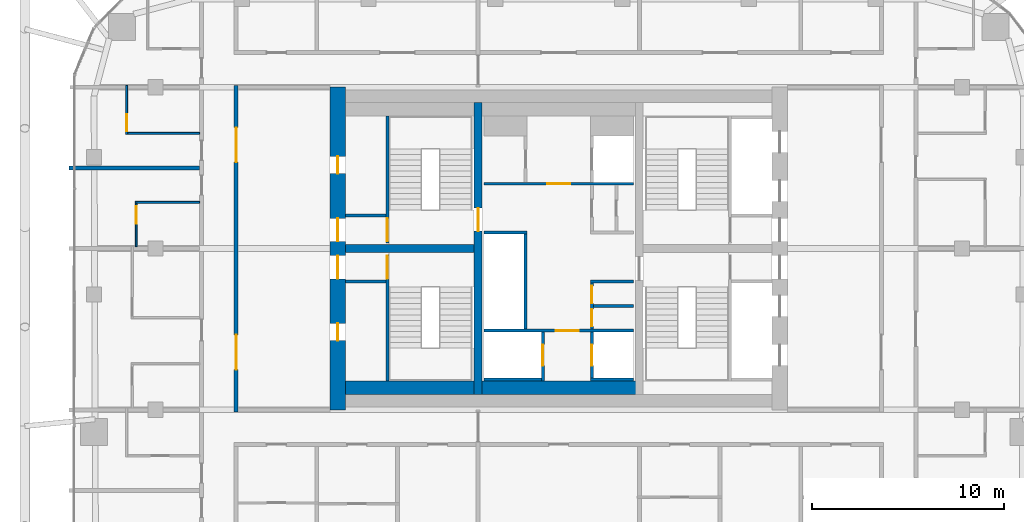
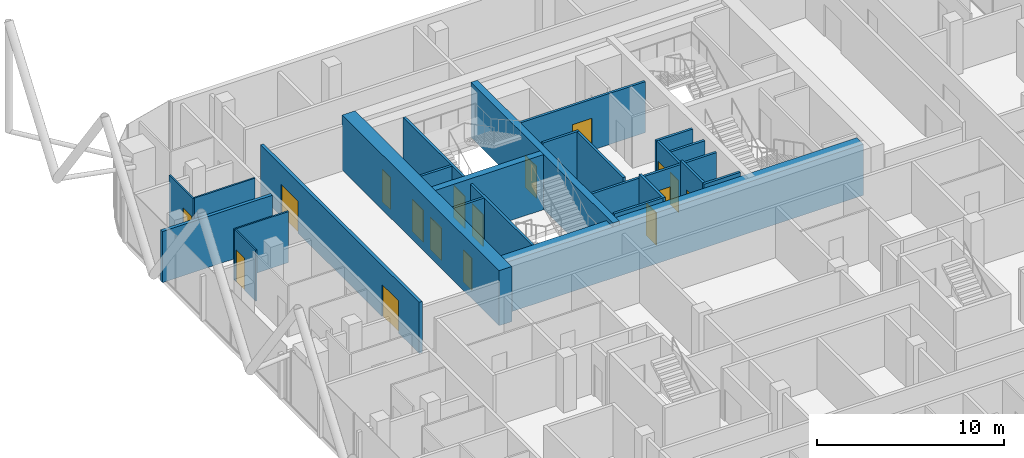
# One storey, part 27 of 31: 25 walls, 17 doors, 17 openings.
"""IFC4 building model written with IfcOpenShell, lengths in metres."""

from ifc_helpers import new_model, si_unit, direction, frame, frame_2d, origin, place, context, subcontext, project, spatial, rectangle, extrude, material, layer, layer_set, type_object, element, fill, save


model = new_model("IFC4")

# Units and contexts
model_context = context("Model", 3, precision=1e-05, world=origin(), true_north=direction((0.0, 1.0)))
body_context = subcontext(model_context, "Body", "Model", "MODEL_VIEW")
ifc_project = project(units=[si_unit("LENGTHUNIT", "METRE"), si_unit("AREAUNIT", "SQUARE_METRE"), si_unit("VOLUMEUNIT", "CUBIC_METRE"), si_unit("PLANEANGLEUNIT", "RADIAN"), si_unit("MASSUNIT", "GRAM", prefix="KILO")], contexts=[model_context])

# Site, building, storey
site_placement = place(None, origin())
site = spatial("IfcSite", under=ifc_project, at=site_placement, CompositionType="ELEMENT")
building_placement = place(site_placement, origin())
building = spatial("IfcBuilding", under=site, at=building_placement, Name="Marenta Gate Hotel Tower", CompositionType="ELEMENT")
storey_placement = place(building_placement, frame((0.0, 0.0, 220.10009765625)))
storey = spatial("IfcBuildingStorey", under=building, at=storey_placement, Name="L51", CompositionType="ELEMENT", Elevation=220.10009765625)

# Wall, openings, doors
ifc_material_1 = material(Name="Concrete blockwork", Category="masonry")
ifc_layer_1 = layer(ifc_material_1, 0.199951171875)
ifc_layer_set_1 = layer_set([ifc_layer_1], Name="Concrete blockwork")
wall_type_1 = type_object("IfcWallType", Name="Core boundary wall 200 REI 180", PredefinedType="PARTITIONING", material=ifc_layer_set_1)
wall_1_placement = place(storey_placement, frame((-16.800048828125, -0.10009765625, 0.0), z_axis=(0.0, 0.0, 1.0), x_axis=(0.0, 1.0, 0.0)))
wall_1 = element("IfcWall", 1, at=wall_1_placement, inside=storey, type_object=wall_type_1, Name="L51-CP-BW-W", PredefinedType="PARTITIONING", context=body_context, shape_type="SweptSolid", body=[
    extrude(rectangle(XDim=17.0, YDim=0.199951171875, at=frame_2d((8.5, 0.0))), origin(), (0.0, 0.0, 1.0), 3.33984375),
])
opening_1_placement = place(wall_1_placement, frame((2.199951171875, 0.0, 0.0)))
opening_1 = element("IfcOpeningElement", 2, at=opening_1_placement, cuts=wall_1, Name="Opening ED-Wa-B", PredefinedType="OPENING", context=body_context, shape_type="SweptSolid", body=[
    extrude(rectangle(XDim=1.800048828125, YDim=2.10009765625, at=frame_2d((0.89990234375, 1.050048828125))), frame((0.0, 0.10009765625, 0.0), z_axis=(0.0, -1.0, 0.0), x_axis=(1.0, 0.0, 0.0)), (0.0, 0.0, 1.0), 0.199951171875),
])
opening_2_placement = place(wall_1_placement, frame((13.0, 0.0, 0.0)))
opening_2 = element("IfcOpeningElement", 3, at=opening_2_placement, cuts=wall_1, Name="Opening ED-Wb-B", PredefinedType="OPENING", context=body_context, shape_type="SweptSolid", body=[
    extrude(rectangle(XDim=1.800048828125, YDim=2.10009765625, at=frame_2d((0.89990234375, 1.050048828125))), frame((0.0, 0.10009765625, 0.0), z_axis=(0.0, -1.0, 0.0), x_axis=(1.0, 0.0, 0.0)), (0.0, 0.0, 1.0), 0.199951171875),
])
ifc_material_2 = material(Name="Steel", Category="steel")
door_type_1 = type_object("IfcDoorType", Name="Core lobby entrance door 1800x2100 EI 60", OperationType="DOUBLE_DOOR_SINGLE_SWING", PredefinedType="DOOR", material=ifc_material_2)
door_1_placement = place(opening_1_placement, origin())
door_1 = element("IfcDoor", 4, at=door_1_placement, inside=storey, type_object=door_type_1, Name="ED-Wa-B", OperationType="DOUBLE_DOOR_SINGLE_SWING", OverallHeight=2.10009765625, OverallWidth=1.800048828125, PredefinedType="DOOR", context=body_context, shape_type="SweptSolid", body=[
    extrude(rectangle(XDim=1.800048828125, YDim=2.10009765625, at=frame_2d((0.89990234375, 1.050048828125))), frame((0.0, 0.02490234375, 0.0), z_axis=(0.0, -1.0, 0.0), x_axis=(1.0, 0.0, 0.0)), (0.0, 0.0, 1.0), 0.050048828125),
])
fill(opening_1, door_1)
door_2_placement = place(opening_2_placement, origin())
door_2 = element("IfcDoor", 5, at=door_2_placement, inside=storey, type_object=door_type_1, Name="ED-Wb-B", OperationType="DOUBLE_DOOR_SINGLE_SWING", OverallHeight=2.10009765625, OverallWidth=1.800048828125, PredefinedType="DOOR", context=body_context, shape_type="SweptSolid", body=[
    extrude(rectangle(XDim=1.800048828125, YDim=2.10009765625, at=frame_2d((0.89990234375, 1.050048828125))), frame((0.0, 0.02490234375, 0.0), z_axis=(0.0, -1.0, 0.0), x_axis=(1.0, 0.0, 0.0)), (0.0, 0.0, 1.0), 0.050048828125),
])
fill(opening_2, door_2)

# Wall
ifc_material_3 = material(Name="Concrete C40", Category="concrete")
ifc_layer_2 = layer(ifc_material_3, 0.699951171875)
ifc_layer_set_2 = layer_set([ifc_layer_2], Name="Concrete C40")
wall_type_2 = type_object("IfcWallType", Name="Core lining wall 700 REI 180", PredefinedType="PARTITIONING", material=ifc_layer_set_2)
wall_2_placement = place(storey_placement, frame((-11.10009765625, 1.14990234375, 0.0), z_axis=(0.0, 0.0, 1.0), x_axis=(1.0, 0.0, 0.0)))
element("IfcWall", 6, at=wall_2_placement, inside=storey, type_object=wall_type_2, Name="L51-CP-LN-S", PredefinedType="PARTITIONING", context=body_context, shape_type="SweptSolid", body=[
    extrude(rectangle(XDim=22.2001953125, YDim=0.699951171875, at=frame_2d((11.10009765625, 0.0))), origin(), (0.0, 0.0, 1.0), 3.33984375),
])

# Wall, opening, door
ifc_material_4 = material(Name="Concrete blockwork", Category="masonry")
ifc_layer_3 = layer(ifc_material_4, 0.14990234375)
ifc_layer_set_3 = layer_set([ifc_layer_3], Name="Concrete blockwork")
wall_type_3 = type_object("IfcWallType", Name="Core lobby partition 150 REI 180", PredefinedType="PARTITIONING", material=ifc_layer_set_3)
wall_3_placement = place(storey_placement, frame((-3.89990234375, 4.125, 0.0), z_axis=(0.0, 0.0, 1.0), x_axis=(1.0, 0.0, 0.0)))
wall_3 = element("IfcWall", 7, at=wall_3_placement, inside=storey, type_object=wall_type_3, Name="L51-CP-CW-S", PredefinedType="PARTITIONING", context=body_context, shape_type="SweptSolid", body=[
    extrude(rectangle(XDim=7.7998046875, YDim=0.14990234375, at=frame_2d((3.89990234375, 0.0))), origin(), (0.0, 0.0, 1.0), 3.33984375),
])
opening_3_placement = place(wall_3_placement, frame((3.75, 0.0, 0.0)))
opening_3 = element("IfcOpeningElement", 8, at=opening_3_placement, cuts=wall_3, Name="Opening FD-FFS", PredefinedType="OPENING", context=body_context, shape_type="SweptSolid", body=[
    extrude(rectangle(XDim=1.199951171875, YDim=2.10009765625, at=frame_2d((0.60009765625, 1.050048828125))), frame((0.0, 0.074951171875, 0.0), z_axis=(0.0, -1.0, 0.0), x_axis=(1.0, 0.0, 0.0)), (0.0, 0.0, 1.0), 0.14990234375),
])
ifc_material_5 = material(Name="Steel", Category="steel")
door_type_2 = type_object("IfcDoorType", Name="Core lobby door 1200x2100 FD60", OperationType="SINGLE_SWING_LEFT", PredefinedType="DOOR", material=ifc_material_5)
door_3_placement = place(opening_3_placement, origin())
door_3 = element("IfcDoor", 9, at=door_3_placement, inside=storey, type_object=door_type_2, Name="FD-FFS", OperationType="SINGLE_SWING_LEFT", OverallHeight=2.10009765625, OverallWidth=1.199951171875, PredefinedType="DOOR", context=body_context, shape_type="SweptSolid", body=[
    extrude(rectangle(XDim=1.199951171875, YDim=2.10009765625, at=frame_2d((0.60009765625, 1.050048828125))), frame((0.0, 0.02490234375, 0.0), z_axis=(0.0, -1.0, 0.0), x_axis=(1.0, 0.0, 0.0)), (0.0, 0.0, 1.0), 0.050048828125),
])
fill(opening_3, door_3)

wall_4_placement = place(storey_placement, frame((-3.89990234375, 11.77490234375, 0.0), z_axis=(0.0, 0.0, 1.0), x_axis=(1.0, 0.0, 0.0)))
wall_4 = element("IfcWall", 10, at=wall_4_placement, inside=storey, type_object=wall_type_3, Name="L51-CP-CW-N", PredefinedType="PARTITIONING", context=body_context, shape_type="SweptSolid", body=[
    extrude(rectangle(XDim=7.7998046875, YDim=0.14990234375, at=frame_2d((3.89990234375, 0.0))), origin(), (0.0, 0.0, 1.0), 3.33984375),
])
opening_4_placement = place(wall_4_placement, frame((3.300048828125, 0.0, 0.0)))
opening_4 = element("IfcOpeningElement", 11, at=opening_4_placement, cuts=wall_4, Name="Opening FD-FFN", PredefinedType="OPENING", context=body_context, shape_type="SweptSolid", body=[
    extrude(rectangle(XDim=1.199951171875, YDim=2.10009765625, at=frame_2d((0.60009765625, 1.050048828125))), frame((0.0, 0.074951171875, 0.0), z_axis=(0.0, -1.0, 0.0), x_axis=(1.0, 0.0, 0.0)), (0.0, 0.0, 1.0), 0.14990234375),
])
door_4_placement = place(opening_4_placement, origin())
door_4 = element("IfcDoor", 12, at=door_4_placement, inside=storey, type_object=door_type_2, Name="FD-FFN", OperationType="SINGLE_SWING_LEFT", OverallHeight=2.10009765625, OverallWidth=1.199951171875, PredefinedType="DOOR", context=body_context, shape_type="SweptSolid", body=[
    extrude(rectangle(XDim=1.199951171875, YDim=2.10009765625, at=frame_2d((0.60009765625, 1.050048828125))), frame((0.0, 0.02490234375, 0.0), z_axis=(0.0, -1.0, 0.0), x_axis=(1.0, 0.0, 0.0)), (0.0, 0.0, 1.0), 0.050048828125),
])
fill(opening_4, door_4)

# Walls
ifc_material_6 = material(Name="Concrete blockwork", Category="masonry")
ifc_layer_4 = layer(ifc_material_6, 0.14990234375)
ifc_layer_set_4 = layer_set([ifc_layer_4], Name="Concrete blockwork")
wall_type_4 = type_object("IfcWallType", Name="Core room partition 150 REI 180", PredefinedType="PARTITIONING", material=ifc_layer_set_4)
for number, where, z_axis, x_axis, name in (
    (13, (-11.10009765625, 6.675048828125, 0.0), (0.0, 0.0, 1.0), (1.0, 0.0, 0.0), "L51-CP-SW-WS-2"),
    (14, (-11.10009765625, 10.125, 0.0), (0.0, 0.0, 1.0), (1.0, 0.0, 0.0), "L51-CP-SW-WN-2"),
):
    element("IfcWall", number, at=place(storey_placement, frame(where, z_axis=z_axis, x_axis=x_axis)), inside=storey, type_object=wall_type_4, Name=name, PredefinedType="PARTITIONING", context=body_context, shape_type="SweptSolid", body=[
        extrude(rectangle(XDim=2.10009765625, YDim=0.14990234375, at=frame_2d((1.050048828125, 0.0))), origin(), (0.0, 0.0, 1.0), 3.33984375),
    ])
wall_5_placement = place(storey_placement, frame((1.64990234375, 6.675048828125, 0.0), z_axis=(0.0, 0.0, 1.0), x_axis=(1.0, 0.0, 0.0)))
element("IfcWall", 15, at=wall_5_placement, inside=storey, type_object=wall_type_4, Name="L51-CP-CE-sep1", PredefinedType="PARTITIONING", context=body_context, shape_type="SweptSolid", body=[
    extrude(rectangle(XDim=2.25, YDim=0.14990234375, at=frame_2d((1.125, 0.0))), origin(), (0.0, 0.0, 1.0), 3.33984375),
])

# Wall, openings, doors
wall_6_placement = place(storey_placement, frame((1.72509765625, 4.199951171875, 0.0), z_axis=(0.0, 0.0, 1.0), x_axis=(0.0, 1.0, 0.0)))
wall_6 = element("IfcWall", 16, at=wall_6_placement, inside=storey, type_object=wall_type_4, Name="L51-CP-CE-front-1", PredefinedType="PARTITIONING", context=body_context, shape_type="SweptSolid", body=[
    extrude(rectangle(XDim=2.400146484375, YDim=0.14990234375, at=frame_2d((1.2001953125, 0.0))), origin(), (0.0, 0.0, 1.0), 3.33984375),
])
opening_5_placement = place(wall_6_placement, frame((0.14990234375, 0.0, 0.0)))
opening_5 = element("IfcOpeningElement", 17, at=opening_5_placement, cuts=wall_6, Name="Opening RD-CE-1a", PredefinedType="OPENING", context=body_context, shape_type="SweptSolid", body=[
    extrude(rectangle(XDim=0.89990234375, YDim=2.10009765625, at=frame_2d((0.449951171875, 1.050048828125))), frame((0.0, 0.074951171875, 0.0), z_axis=(0.0, -1.0, 0.0), x_axis=(1.0, 0.0, 0.0)), (0.0, 0.0, 1.0), 0.14990234375),
])
opening_6_placement = place(wall_6_placement, frame((1.35009765625, 0.0, 0.0)))
opening_6 = element("IfcOpeningElement", 18, at=opening_6_placement, cuts=wall_6, Name="Opening RD-CE-1b-B", PredefinedType="OPENING", context=body_context, shape_type="SweptSolid", body=[
    extrude(rectangle(XDim=0.89990234375, YDim=2.10009765625, at=frame_2d((0.449951171875, 1.050048828125))), frame((0.0, 0.074951171875, 0.0), z_axis=(0.0, -1.0, 0.0), x_axis=(1.0, 0.0, 0.0)), (0.0, 0.0, 1.0), 0.14990234375),
])
ifc_material_7 = material(Name="Steel", Category="steel")
door_type_3 = type_object("IfcDoorType", Name="Core service room door 900x2100 FD30S", OperationType="SINGLE_SWING_LEFT", PredefinedType="DOOR", material=ifc_material_7)
door_5_placement = place(opening_5_placement, origin())
door_5 = element("IfcDoor", 19, at=door_5_placement, inside=storey, type_object=door_type_3, Name="RD-CE-1a", OperationType="SINGLE_SWING_LEFT", OverallHeight=2.10009765625, OverallWidth=0.89990234375, PredefinedType="DOOR", context=body_context, shape_type="SweptSolid", body=[
    extrude(rectangle(XDim=0.89990234375, YDim=2.10009765625, at=frame_2d((0.449951171875, 1.050048828125))), frame((0.0, 0.02490234375, 0.0), z_axis=(0.0, -1.0, 0.0), x_axis=(1.0, 0.0, 0.0)), (0.0, 0.0, 1.0), 0.050048828125),
])
fill(opening_5, door_5)
door_6_placement = place(opening_6_placement, origin())
door_6 = element("IfcDoor", 20, at=door_6_placement, inside=storey, type_object=door_type_3, Name="RD-CE-1b-B", OperationType="SINGLE_SWING_LEFT", OverallHeight=2.10009765625, OverallWidth=0.89990234375, PredefinedType="DOOR", context=body_context, shape_type="SweptSolid", body=[
    extrude(rectangle(XDim=0.89990234375, YDim=2.10009765625, at=frame_2d((0.449951171875, 1.050048828125))), frame((0.0, 0.02490234375, 0.0), z_axis=(0.0, -1.0, 0.0), x_axis=(1.0, 0.0, 0.0)), (0.0, 0.0, 1.0), 0.050048828125),
])
fill(opening_6, door_6)

# Wall
wall_7_placement = place(storey_placement, frame((1.800048828125, 5.39990234375, 0.0), z_axis=(0.0, 0.0, 1.0), x_axis=(1.0, 0.0, 0.0)))
element("IfcWall", 21, at=wall_7_placement, inside=storey, type_object=wall_type_4, Name="L51-CP-CE-RW-1", PredefinedType="PARTITIONING", context=body_context, shape_type="SweptSolid", body=[
    extrude(rectangle(XDim=2.099853515625, YDim=0.14990234375, at=frame_2d((1.0498046875, 0.0))), origin(), (0.0, 0.0, 1.0), 3.33984375),
])

# Wall, opening, door
ifc_material_8 = material(Name="Concrete C40", Category="concrete")
ifc_layer_5 = layer(ifc_material_8, 0.14990234375)
ifc_layer_set_5 = layer_set([ifc_layer_5], Name="Concrete C40")
wall_type_5 = type_object("IfcWallType", Name="Core shaft wall 150 REI 180", PredefinedType="SHEAR", material=ifc_layer_set_5)
wall_8_placement = place(storey_placement, frame((-0.824951171875, 1.5, 0.0), z_axis=(0.0, 0.0, 1.0), x_axis=(0.0, 1.0, 0.0)))
wall_8 = element("IfcWall", 22, at=wall_8_placement, inside=storey, type_object=wall_type_5, Name="L51-SHF-CW-W-ff", PredefinedType="SHEAR", context=body_context, shape_type="SweptSolid", body=[
    extrude(rectangle(XDim=2.550048828125, YDim=0.14990234375, at=frame_2d((1.27490234375, 0.0))), origin(), (0.0, 0.0, 1.0), 3.599853515625),
])
opening_7_placement = place(wall_8_placement, frame((0.800048828125, 0.0, 0.0)))
opening_7 = element("IfcOpeningElement", 23, at=opening_7_placement, cuts=wall_8, Name="Opening LD-FF1", PredefinedType="OPENING", context=body_context, shape_type="SweptSolid", body=[
    extrude(rectangle(XDim=1.10009765625, YDim=2.10009765625, at=frame_2d((0.550048828125, 1.050048828125))), frame((0.0, 0.074951171875, 0.0), z_axis=(0.0, -1.0, 0.0), x_axis=(1.0, 0.0, 0.0)), (0.0, 0.0, 1.0), 0.14990234375),
])
ifc_material_9 = material(Name="Steel", Category="steel")
door_type_4 = type_object("IfcDoorType", Name="Core lift landing door 1100x2100 E 60", OperationType="SLIDING_TO_LEFT", PredefinedType="DOOR", material=ifc_material_9)
door_7_placement = place(opening_7_placement, origin())
door_7 = element("IfcDoor", 24, at=door_7_placement, inside=storey, type_object=door_type_4, Name="LD-FF1", OperationType="SLIDING_TO_LEFT", OverallHeight=2.10009765625, OverallWidth=1.10009765625, PredefinedType="DOOR", context=body_context, shape_type="SweptSolid", body=[
    extrude(rectangle(XDim=1.10009765625, YDim=2.10009765625, at=frame_2d((0.550048828125, 1.050048828125))), frame((0.0, 0.02490234375, 0.0), z_axis=(0.0, -1.0, 0.0), x_axis=(1.0, 0.0, 0.0)), (0.0, 0.0, 1.0), 0.050048828125),
])
fill(opening_7, door_7)

# Walls
wall_9_placement = place(storey_placement, frame((-3.89990234375, 1.574951171875, 0.0), z_axis=(0.0, 0.0, 1.0), x_axis=(1.0, 0.0, 0.0)))
element("IfcWall", 25, at=wall_9_placement, inside=storey, type_object=wall_type_5, Name="L51-SHF-CW-W-ffs", PredefinedType="SHEAR", context=body_context, shape_type="SweptSolid", body=[
    extrude(rectangle(XDim=3.0, YDim=0.14990234375, at=frame_2d((1.5, 0.0))), origin(), (0.0, 0.0, 1.0), 3.599853515625),
])
wall_10_placement = place(storey_placement, frame((-1.72509765625, 4.199951171875, 0.0), z_axis=(0.0, 0.0, 1.0), x_axis=(0.0, 1.0, 0.0)))
element("IfcWall", 26, at=wall_10_placement, inside=storey, type_object=wall_type_5, Name="L51-SHF-CW-W-front", PredefinedType="SHEAR", context=body_context, shape_type="SweptSolid", body=[
    extrude(rectangle(XDim=4.949951171875, YDim=0.14990234375, at=frame_2d((2.47509765625, 0.0))), origin(), (0.0, 0.0, 1.0), 3.599853515625),
])
wall_11_placement = place(storey_placement, frame((-3.89990234375, 9.22509765625, 0.0), z_axis=(0.0, 0.0, 1.0), x_axis=(1.0, 0.0, 0.0)))
element("IfcWall", 27, at=wall_11_placement, inside=storey, type_object=wall_type_5, Name="L51-SHF-CW-W-sep", PredefinedType="SHEAR", context=body_context, shape_type="SweptSolid", body=[
    extrude(rectangle(XDim=2.25, YDim=0.14990234375, at=frame_2d((1.125, 0.0))), origin(), (0.0, 0.0, 1.0), 3.599853515625),
])

# Wall, opening, door
wall_12_placement = place(storey_placement, frame((1.72509765625, 1.64990234375, 0.0), z_axis=(0.0, 0.0, 1.0), x_axis=(0.0, 1.0, 0.0)))
wall_12 = element("IfcWall", 28, at=wall_12_placement, inside=storey, type_object=wall_type_5, Name="L51-SHF-CE-S-ls", PredefinedType="SHEAR", context=body_context, shape_type="SweptSolid", body=[
    extrude(rectangle(XDim=2.400146484375, YDim=0.14990234375, at=frame_2d((1.2001953125, 0.0))), origin(), (0.0, 0.0, 1.0), 3.599853515625),
])
opening_8_placement = place(wall_12_placement, frame((0.64990234375, 0.0, 0.0)))
opening_8 = element("IfcOpeningElement", 29, at=opening_8_placement, cuts=wall_12, Name="Opening LD-SV1", PredefinedType="OPENING", context=body_context, shape_type="SweptSolid", body=[
    extrude(rectangle(XDim=1.10009765625, YDim=2.10009765625, at=frame_2d((0.550048828125, 1.050048828125))), frame((0.0, 0.074951171875, 0.0), z_axis=(0.0, -1.0, 0.0), x_axis=(1.0, 0.0, 0.0)), (0.0, 0.0, 1.0), 0.14990234375),
])
door_8_placement = place(opening_8_placement, origin())
door_8 = element("IfcDoor", 30, at=door_8_placement, inside=storey, type_object=door_type_4, Name="LD-SV1", OperationType="SLIDING_TO_LEFT", OverallHeight=2.10009765625, OverallWidth=1.10009765625, PredefinedType="DOOR", context=body_context, shape_type="SweptSolid", body=[
    extrude(rectangle(XDim=1.10009765625, YDim=2.10009765625, at=frame_2d((0.550048828125, 1.050048828125))), frame((0.0, 0.02490234375, 0.0), z_axis=(0.0, -1.0, 0.0), x_axis=(1.0, 0.0, 0.0)), (0.0, 0.0, 1.0), 0.050048828125),
])
fill(opening_8, door_8)

# Wall
wall_13_placement = place(storey_placement, frame((1.64990234375, 1.574951171875, 0.0), z_axis=(0.0, 0.0, 1.0), x_axis=(1.0, 0.0, 0.0)))
element("IfcWall", 31, at=wall_13_placement, inside=storey, type_object=wall_type_5, Name="L51-SHF-CE-S-bot", PredefinedType="SHEAR", context=body_context, shape_type="SweptSolid", body=[
    extrude(rectangle(XDim=2.25, YDim=0.14990234375, at=frame_2d((1.125, 0.0))), origin(), (0.0, 0.0, 1.0), 3.599853515625),
])

# Wall, opening, door
ifc_material_10 = material(Name="Concrete C40", Category="concrete")
ifc_layer_6 = layer(ifc_material_10, 0.14990234375)
ifc_layer_set_6 = layer_set([ifc_layer_6], Name="Concrete C40")
wall_type_6 = type_object("IfcWallType", Name="Core stair enclosure wall 150 REI 180", PredefinedType="SHEAR", material=ifc_layer_set_6)
wall_14_placement = place(storey_placement, frame((-8.925048828125, 1.5, 0.0), z_axis=(0.0, 0.0, 1.0), x_axis=(0.0, 1.0, 0.0)))
wall_14 = element("IfcWall", 32, at=wall_14_placement, inside=storey, type_object=wall_type_6, Name="L51-SHF-SW-WS-3", PredefinedType="SHEAR", context=body_context, shape_type="SweptSolid", body=[
    extrude(rectangle(XDim=6.60009765625, YDim=0.14990234375, at=frame_2d((3.300048828125, 0.0))), origin(), (0.0, 0.0, 1.0), 3.33984375),
])
opening_9_placement = place(wall_14_placement, frame((5.324951171875, 0.0, 0.0)))
opening_9 = element("IfcOpeningElement", 33, at=opening_9_placement, cuts=wall_14, Name="Opening SD-WS", PredefinedType="OPENING", context=body_context, shape_type="SweptSolid", body=[
    extrude(rectangle(XDim=1.199951171875, YDim=2.10009765625, at=frame_2d((0.60009765625, 1.050048828125))), frame((0.0, 0.074951171875, 0.0), z_axis=(0.0, -1.0, 0.0), x_axis=(1.0, 0.0, 0.0)), (0.0, 0.0, 1.0), 0.14990234375),
])
ifc_material_11 = material(Name="Steel", Category="steel")
door_type_5 = type_object("IfcDoorType", Name="Core stair door 1200x2100 FD60", OperationType="SINGLE_SWING_LEFT", PredefinedType="DOOR", material=ifc_material_11)
door_9_placement = place(opening_9_placement, origin())
door_9 = element("IfcDoor", 34, at=door_9_placement, inside=storey, type_object=door_type_5, Name="SD-WS", OperationType="SINGLE_SWING_LEFT", OverallHeight=2.10009765625, OverallWidth=1.199951171875, PredefinedType="DOOR", context=body_context, shape_type="SweptSolid", body=[
    extrude(rectangle(XDim=1.199951171875, YDim=2.10009765625, at=frame_2d((0.60009765625, 1.050048828125))), frame((0.0, 0.02490234375, 0.0), z_axis=(0.0, -1.0, 0.0), x_axis=(1.0, 0.0, 0.0)), (0.0, 0.0, 1.0), 0.050048828125),
])
fill(opening_9, door_9)

wall_15_placement = place(storey_placement, frame((-8.925048828125, 8.699951171875, 0.0), z_axis=(0.0, 0.0, 1.0), x_axis=(0.0, 1.0, 0.0)))
wall_15 = element("IfcWall", 35, at=wall_15_placement, inside=storey, type_object=wall_type_6, Name="L51-SHF-SW-WN-3", PredefinedType="SHEAR", context=body_context, shape_type="SweptSolid", body=[
    extrude(rectangle(XDim=6.60009765625, YDim=0.14990234375, at=frame_2d((3.300048828125, 0.0))), origin(), (0.0, 0.0, 1.0), 3.33984375),
])
opening_10_placement = place(wall_15_placement, frame((0.074951171875, 0.0, 0.0)))
opening_10 = element("IfcOpeningElement", 36, at=opening_10_placement, cuts=wall_15, Name="Opening SD-WN", PredefinedType="OPENING", context=body_context, shape_type="SweptSolid", body=[
    extrude(rectangle(XDim=1.199951171875, YDim=2.10009765625, at=frame_2d((0.60009765625, 1.050048828125))), frame((0.0, 0.074951171875, 0.0), z_axis=(0.0, -1.0, 0.0), x_axis=(1.0, 0.0, 0.0)), (0.0, 0.0, 1.0), 0.14990234375),
])
door_10_placement = place(opening_10_placement, origin())
door_10 = element("IfcDoor", 37, at=door_10_placement, inside=storey, type_object=door_type_5, Name="SD-WN", OperationType="SINGLE_SWING_LEFT", OverallHeight=2.10009765625, OverallWidth=1.199951171875, PredefinedType="DOOR", context=body_context, shape_type="SweptSolid", body=[
    extrude(rectangle(XDim=1.199951171875, YDim=2.10009765625, at=frame_2d((0.60009765625, 1.050048828125))), frame((0.0, 0.02490234375, 0.0), z_axis=(0.0, -1.0, 0.0), x_axis=(1.0, 0.0, 0.0)), (0.0, 0.0, 1.0), 0.050048828125),
])
fill(opening_10, door_10)

# Wall, openings, doors
ifc_material_12 = material(Name="Concrete C60", Category="concrete")
ifc_layer_7 = layer(ifc_material_12, 0.800048828125)
ifc_layer_set_7 = layer_set([ifc_layer_7], Name="Concrete C60")
wall_type_7 = type_object("IfcWallType", Name="Core wall 800 C60", PredefinedType="SHEAR", material=ifc_layer_set_7)
wall_16_placement = place(storey_placement, frame((-11.5, 0.0, 0.0), z_axis=(0.0, 0.0, 1.0), x_axis=(0.0, 1.0, 0.0)))
wall_16 = element("IfcWall", 38, at=wall_16_placement, inside=storey, type_object=wall_type_7, Name="L51-CORE-W", PredefinedType="SHEAR", context=body_context, shape_type="SweptSolid", body=[
    extrude(rectangle(XDim=16.800048828125, YDim=0.800048828125, at=frame_2d((8.39990234375, 0.0))), origin(), (0.0, 0.0, 1.0), 3.599853515625),
])
opening_11_placement = place(wall_16_placement, frame((3.60009765625, 0.0, 0.0)))
opening_11 = element("IfcOpeningElement", 39, at=opening_11_placement, cuts=wall_16, Name="Opening RD-WS-1", PredefinedType="OPENING", context=body_context, shape_type="SweptSolid", body=[
    extrude(rectangle(XDim=0.89990234375, YDim=2.10009765625, at=frame_2d((0.449951171875, 1.050048828125))), frame((0.0, 0.39990234375, 0.0), z_axis=(0.0, -1.0, 0.0), x_axis=(1.0, 0.0, 0.0)), (0.0, 0.0, 1.0), 0.800048828125),
])
opening_12_placement = place(wall_16_placement, frame((6.824951171875, 0.0, 0.0)))
opening_12 = element("IfcOpeningElement", 40, at=opening_12_placement, cuts=wall_16, Name="Opening PD-WS", PredefinedType="OPENING", context=body_context, shape_type="SweptSolid", body=[
    extrude(rectangle(XDim=1.199951171875, YDim=2.10009765625, at=frame_2d((0.60009765625, 1.050048828125))), frame((0.0, 0.39990234375, 0.0), z_axis=(0.0, -1.0, 0.0), x_axis=(1.0, 0.0, 0.0)), (0.0, 0.0, 1.0), 0.800048828125),
])
opening_13_placement = place(wall_16_placement, frame((12.300048828125, 0.0, 0.0)))
opening_13 = element("IfcOpeningElement", 41, at=opening_13_placement, cuts=wall_16, Name="Opening RD-WN-1", PredefinedType="OPENING", context=body_context, shape_type="SweptSolid", body=[
    extrude(rectangle(XDim=0.89990234375, YDim=2.10009765625, at=frame_2d((0.449951171875, 1.050048828125))), frame((0.0, 0.39990234375, 0.0), z_axis=(0.0, -1.0, 0.0), x_axis=(1.0, 0.0, 0.0)), (0.0, 0.0, 1.0), 0.800048828125),
])
opening_14_placement = place(wall_16_placement, frame((8.77490234375, 0.0, 0.0)))
opening_14 = element("IfcOpeningElement", 42, at=opening_14_placement, cuts=wall_16, Name="Opening PD-WN", PredefinedType="OPENING", context=body_context, shape_type="SweptSolid", body=[
    extrude(rectangle(XDim=1.199951171875, YDim=2.10009765625, at=frame_2d((0.60009765625, 1.050048828125))), frame((0.0, 0.39990234375, 0.0), z_axis=(0.0, -1.0, 0.0), x_axis=(1.0, 0.0, 0.0)), (0.0, 0.0, 1.0), 0.800048828125),
])
door_11_placement = place(opening_12_placement, origin())
door_11 = element("IfcDoor", 43, at=door_11_placement, inside=storey, type_object=door_type_2, Name="PD-WS", OperationType="SINGLE_SWING_LEFT", OverallHeight=2.10009765625, OverallWidth=1.199951171875, PredefinedType="DOOR", context=body_context, shape_type="SweptSolid", body=[
    extrude(rectangle(XDim=1.199951171875, YDim=2.10009765625, at=frame_2d((0.60009765625, 1.050048828125))), frame((0.0, 0.02490234375, 0.0), z_axis=(0.0, -1.0, 0.0), x_axis=(1.0, 0.0, 0.0)), (0.0, 0.0, 1.0), 0.050048828125),
])
fill(opening_12, door_11)
door_12_placement = place(opening_14_placement, origin())
door_12 = element("IfcDoor", 44, at=door_12_placement, inside=storey, type_object=door_type_2, Name="PD-WN", OperationType="SINGLE_SWING_LEFT", OverallHeight=2.10009765625, OverallWidth=1.199951171875, PredefinedType="DOOR", context=body_context, shape_type="SweptSolid", body=[
    extrude(rectangle(XDim=1.199951171875, YDim=2.10009765625, at=frame_2d((0.60009765625, 1.050048828125))), frame((0.0, 0.02490234375, 0.0), z_axis=(0.0, -1.0, 0.0), x_axis=(1.0, 0.0, 0.0)), (0.0, 0.0, 1.0), 0.050048828125),
])
fill(opening_14, door_12)
door_13_placement = place(opening_11_placement, origin())
door_13 = element("IfcDoor", 45, at=door_13_placement, inside=storey, type_object=door_type_3, Name="RD-WS-1", OperationType="SINGLE_SWING_LEFT", OverallHeight=2.10009765625, OverallWidth=0.89990234375, PredefinedType="DOOR", context=body_context, shape_type="SweptSolid", body=[
    extrude(rectangle(XDim=0.89990234375, YDim=2.10009765625, at=frame_2d((0.449951171875, 1.050048828125))), frame((0.0, 0.02490234375, 0.0), z_axis=(0.0, -1.0, 0.0), x_axis=(1.0, 0.0, 0.0)), (0.0, 0.0, 1.0), 0.050048828125),
])
fill(opening_11, door_13)
door_14_placement = place(opening_13_placement, origin())
door_14 = element("IfcDoor", 46, at=door_14_placement, inside=storey, type_object=door_type_3, Name="RD-WN-1", OperationType="SINGLE_SWING_LEFT", OverallHeight=2.10009765625, OverallWidth=0.89990234375, PredefinedType="DOOR", context=body_context, shape_type="SweptSolid", body=[
    extrude(rectangle(XDim=0.89990234375, YDim=2.10009765625, at=frame_2d((0.449951171875, 1.050048828125))), frame((0.0, 0.02490234375, 0.0), z_axis=(0.0, -1.0, 0.0), x_axis=(1.0, 0.0, 0.0)), (0.0, 0.0, 1.0), 0.050048828125),
])
fill(opening_13, door_14)

# Wall, opening, door
ifc_material_13 = material(Name="Concrete C60", Category="concrete")
ifc_layer_8 = layer(ifc_material_13, 0.39990234375)
ifc_layer_set_8 = layer_set([ifc_layer_8], Name="Concrete C60")
wall_type_8 = type_object("IfcWallType", Name="Core web 400 C60", PredefinedType="SHEAR", material=ifc_layer_set_8)
wall_17_placement = place(storey_placement, frame((-4.199951171875, 0.800048828125, 0.0), z_axis=(0.0, 0.0, 1.0), x_axis=(0.0, 1.0, 0.0)))
wall_17 = element("IfcWall", 47, at=wall_17_placement, inside=storey, type_object=wall_type_8, Name="L51-CORE-W1", PredefinedType="SHEAR", context=body_context, shape_type="SweptSolid", body=[
    extrude(rectangle(XDim=15.199951171875, YDim=0.39990234375, at=frame_2d((7.60009765625, 0.0))), origin(), (0.0, 0.0, 1.0), 3.599853515625),
])
opening_15_placement = place(wall_17_placement, frame((8.5, 0.0, 0.0)))
opening_15 = element("IfcOpeningElement", 48, at=opening_15_placement, cuts=wall_17, Name="Opening WD-W", PredefinedType="OPENING", context=body_context, shape_type="SweptSolid", body=[
    extrude(rectangle(XDim=1.199951171875, YDim=2.10009765625, at=frame_2d((0.60009765625, 1.050048828125))), frame((0.0, 0.199951171875, 0.0), z_axis=(0.0, -1.0, 0.0), x_axis=(1.0, 0.0, 0.0)), (0.0, 0.0, 1.0), 0.39990234375),
])
door_15_placement = place(opening_15_placement, origin())
door_15 = element("IfcDoor", 49, at=door_15_placement, inside=storey, type_object=door_type_5, Name="WD-W", OperationType="SINGLE_SWING_LEFT", OverallHeight=2.10009765625, OverallWidth=1.199951171875, PredefinedType="DOOR", context=body_context, shape_type="SweptSolid", body=[
    extrude(rectangle(XDim=1.199951171875, YDim=2.10009765625, at=frame_2d((0.60009765625, 1.050048828125))), frame((0.0, 0.02490234375, 0.0), z_axis=(0.0, -1.0, 0.0), x_axis=(1.0, 0.0, 0.0)), (0.0, 0.0, 1.0), 0.050048828125),
])
fill(opening_15, door_15)

# Walls
wall_18_placement = place(storey_placement, frame((-11.10009765625, 8.39990234375, 0.0), z_axis=(0.0, 0.0, 1.0), x_axis=(1.0, 0.0, 0.0)))
element("IfcWall", 50, at=wall_18_placement, inside=storey, type_object=wall_type_8, Name="L51-CORE-W3", PredefinedType="SHEAR", context=body_context, shape_type="SweptSolid", body=[
    extrude(rectangle(XDim=6.7001953125, YDim=0.39990234375, at=frame_2d((3.35009765625, 0.0))), origin(), (0.0, 0.0, 1.0), 3.599853515625),
])
ifc_material_14 = material(Name="Gypsum board on steel stud", Category="steel")
ifc_layer_9 = layer(ifc_material_14, 0.10009765625)
ifc_layer_set_9 = layer_set([ifc_layer_9], Name="Gypsum board on steel stud")
wall_type_9 = type_object("IfcWallType", Name="Room partition 100", PredefinedType="PARTITIONING", material=ifc_layer_set_9)
wall_19_placement = place(storey_placement, frame((-22.050048828125, 10.800048828125, 0.0), z_axis=(0.0, 0.0, 1.0), x_axis=(1.0, 0.0, 0.0)))
element("IfcWall", 51, at=wall_19_placement, inside=storey, type_object=wall_type_9, Name="L51-PTN-W093", PredefinedType="PARTITIONING", context=body_context, shape_type="SweptSolid", body=[
    extrude(rectangle(XDim=3.35009765625, YDim=0.10009765625, at=frame_2d((1.675048828125, 0.0))), origin(), (0.0, 0.0, 1.0), 3.33984375),
])
wall_20_placement = place(storey_placement, frame((-22.449951171875, 14.39990234375, 0.0), z_axis=(0.0, 0.0, 1.0), x_axis=(1.0, 0.0, 0.0)))
element("IfcWall", 52, at=wall_20_placement, inside=storey, type_object=wall_type_9, Name="L51-PTN-W101", PredefinedType="PARTITIONING", context=body_context, shape_type="SweptSolid", body=[
    extrude(rectangle(XDim=3.75, YDim=0.10009765625, at=frame_2d((1.875, 0.0))), origin(), (0.0, 0.0, 1.0), 3.33984375),
])

# Wall, opening, door
wall_21_placement = place(storey_placement, frame((-22.0, 8.5, 0.0), z_axis=(0.0, 0.0, 1.0), x_axis=(0.0, 1.0, 0.0)))
wall_21 = element("IfcWall", 53, at=wall_21_placement, inside=storey, type_object=wall_type_9, Name="L51-PTN-W118", PredefinedType="PARTITIONING", context=body_context, shape_type="SweptSolid", body=[
    extrude(rectangle(XDim=2.25, YDim=0.10009765625, at=frame_2d((1.125, 0.0))), origin(), (0.0, 0.0, 1.0), 3.33984375),
])
opening_16_placement = place(wall_21_placement, frame((1.199951171875, 0.0, 0.0)))
opening_16 = element("IfcOpeningElement", 54, at=opening_16_placement, cuts=wall_21, Name="Opening G19-66", PredefinedType="OPENING", context=body_context, shape_type="SweptSolid", body=[
    extrude(rectangle(XDim=0.89990234375, YDim=2.10009765625, at=frame_2d((0.449951171875, 1.050048828125))), frame((0.0, 0.050048828125, 0.0), z_axis=(0.0, -1.0, 0.0), x_axis=(1.0, 0.0, 0.0)), (0.0, 0.0, 1.0), 0.10009765625),
])
ifc_material_15 = material(Name="Timber door leaf", Category="wood")
door_type_6 = type_object("IfcDoorType", Name="Guest bathroom door 900x2100", OperationType="NOTDEFINED", PredefinedType="DOOR", material=ifc_material_15)
door_16_placement = place(opening_16_placement, origin())
door_16 = element("IfcDoor", 55, at=door_16_placement, inside=storey, type_object=door_type_6, Name="L51-PD-D066", OperationType="SINGLE_SWING_LEFT", OverallHeight=2.10009765625, OverallWidth=0.89990234375, PredefinedType="DOOR", context=body_context, shape_type="SweptSolid", body=[
    extrude(rectangle(XDim=0.89990234375, YDim=2.10009765625, at=frame_2d((0.449951171875, 1.050048828125))), frame((0.0, 0.02490234375, 0.0), z_axis=(0.0, -1.0, 0.0), x_axis=(1.0, 0.0, 0.0)), (0.0, 0.0, 1.0), 0.050048828125),
])
fill(opening_16, door_16)

wall_22_placement = place(storey_placement, frame((-22.5, 14.35009765625, 0.0), z_axis=(0.0, 0.0, 1.0), x_axis=(0.0, 1.0, 0.0)))
wall_22 = element("IfcWall", 56, at=wall_22_placement, inside=storey, type_object=wall_type_9, Name="L51-PTN-W124", PredefinedType="PARTITIONING", context=body_context, shape_type="SweptSolid", body=[
    extrude(rectangle(XDim=2.5498046875, YDim=0.10009765625, at=frame_2d((1.27490234375, 0.0))), origin(), (0.0, 0.0, 1.0), 3.33984375),
])
opening_17_placement = place(wall_22_placement, frame((0.14990234375, 0.0, 0.0)))
opening_17 = element("IfcOpeningElement", 57, at=opening_17_placement, cuts=wall_22, Name="Opening G19-68", PredefinedType="OPENING", context=body_context, shape_type="SweptSolid", body=[
    extrude(rectangle(XDim=0.89990234375, YDim=2.10009765625, at=frame_2d((0.449951171875, 1.050048828125))), frame((0.0, 0.050048828125, 0.0), z_axis=(0.0, -1.0, 0.0), x_axis=(1.0, 0.0, 0.0)), (0.0, 0.0, 1.0), 0.10009765625),
])
door_17_placement = place(opening_17_placement, origin())
door_17 = element("IfcDoor", 58, at=door_17_placement, inside=storey, type_object=door_type_6, Name="L51-PD-D068", OperationType="SINGLE_SWING_RIGHT", OverallHeight=2.10009765625, OverallWidth=0.89990234375, PredefinedType="DOOR", context=body_context, shape_type="SweptSolid", body=[
    extrude(rectangle(XDim=0.89990234375, YDim=2.10009765625, at=frame_2d((0.449951171875, 1.050048828125))), frame((0.0, 0.02490234375, 0.0), z_axis=(0.0, -1.0, 0.0), x_axis=(1.0, 0.0, 0.0)), (0.0, 0.0, 1.0), 0.050048828125),
])
fill(opening_17, door_17)

# Wall
ifc_material_16 = material(Name="Gypsum board on steel stud", Category="steel")
ifc_layer_10 = layer(ifc_material_16, 0.199951171875)
ifc_layer_set_10 = layer_set([ifc_layer_10], Name="Gypsum board on steel stud")
wall_type_10 = type_object("IfcWallType", Name="Room party wall 200 EI 60", PredefinedType="PARTITIONING", material=ifc_layer_set_10)
wall_23_placement = place(storey_placement, frame((-25.5, 12.60009765625, 0.0), z_axis=(0.0, 0.0, 1.0), x_axis=(1.0, 0.0, 0.0)))
element("IfcWall", 59, at=wall_23_placement, inside=storey, type_object=wall_type_10, Name="L51-PTN-W100", PredefinedType="PARTITIONING", context=body_context, shape_type="SweptSolid", body=[
    extrude(rectangle(XDim=6.800048828125, YDim=0.199951171875, at=frame_2d((3.39990234375, 0.0))), origin(), (0.0, 0.0, 1.0), 3.33984375),
])

save(model, "model.ifc")
